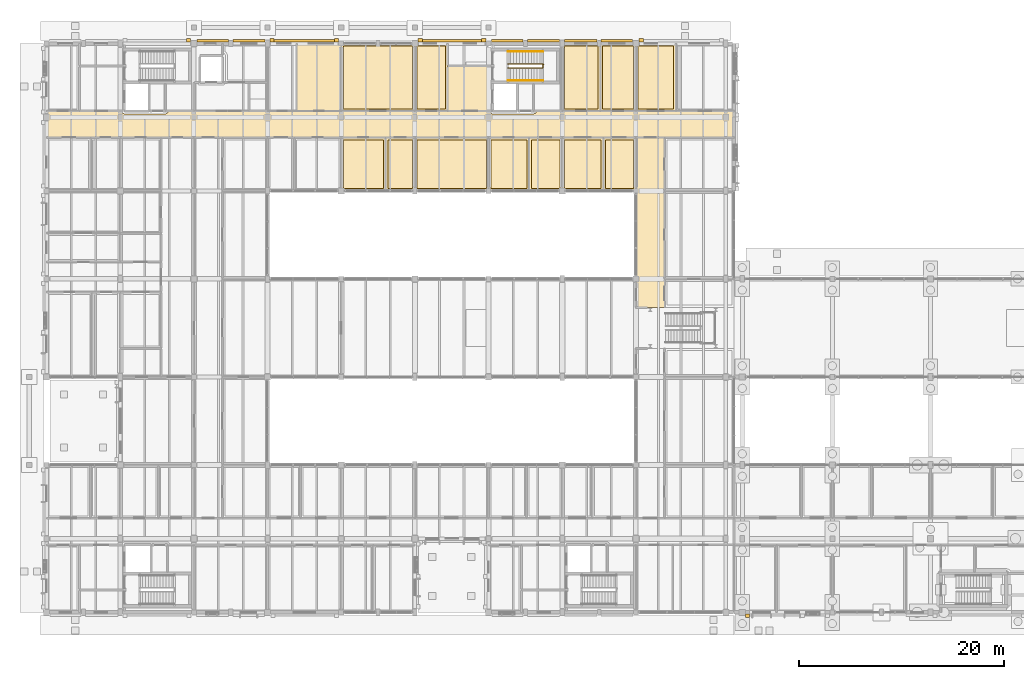
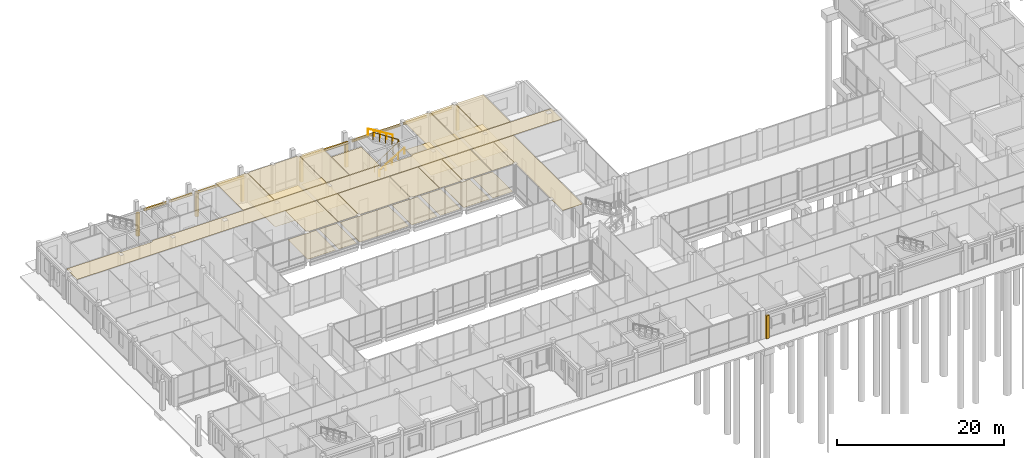
# One storey, part 96 of 104: 43 coverings, 3 railings.
"""IFC4 building model written with IfcOpenShell, lengths in metres."""

from ifc_helpers import new_model, si_unit, direction, frame, origin, origin_2d, place, context, subcontext, project, spatial, polyline, rectangle, circle, outline, extrude, material, layer, layer_set, type_object, element, save


model = new_model("IFC4")

# Units and contexts
model_context = context("Model", 3, precision=1e-05, world=origin(), true_north=direction((0.0, 1.0)))
body_context = subcontext(model_context, "Body", "Model", "MODEL_VIEW")
ifc_project = project(units=[si_unit("LENGTHUNIT", "METRE"), si_unit("AREAUNIT", "SQUARE_METRE"), si_unit("VOLUMEUNIT", "CUBIC_METRE"), si_unit("PLANEANGLEUNIT", "RADIAN"), si_unit("MASSUNIT", "GRAM", prefix="KILO")], contexts=[model_context])

# Site, building, storey
site_placement = place(None, origin())
site = spatial("IfcSite", under=ifc_project, at=site_placement, CompositionType="ELEMENT")
building_placement = place(site_placement, origin())
building = spatial("IfcBuilding", under=site, at=building_placement, Name="Hawrajan Terrace Health Centre", CompositionType="ELEMENT")
storey_placement = place(building_placement, origin())
storey = spatial("IfcBuildingStorey", under=building, at=storey_placement, Name="L00", CompositionType="ELEMENT", Elevation=0.0)

# Coverings
ifc_material_1 = material(Name="Precast concrete C40/50", Category="concrete")
ifc_layer_1 = layer(ifc_material_1, 0.219970703125)
ifc_layer_set_1 = layer_set([ifc_layer_1], Name="Precast concrete C40/50")
covering_type_1 = type_object("IfcCoveringType", Name="ArtDecoCorniceBand", PredefinedType="CLADDING", material=ifc_layer_set_1)
covering_1_placement = place(storey_placement, frame((20.85009765625, 60.06005859375, 3.3701171875), z_axis=(0.0, 0.0, 1.0), x_axis=(1.0, 0.0, 0.0)))
element("IfcCovering", 1, at=covering_1_placement, inside=storey, type_object=covering_type_1, Name="Art Deco limestone cornice band CRN-L00-0016", PredefinedType="CLADDING", context=body_context, shape_type="SweptSolid", body=[
    extrude(rectangle(XDim=3.06005859375, YDim=0.219970703125, at=origin_2d()), origin(), (0.0, 0.0, 1.0), 0.300048828125),
])
covering_2_placement = place(storey_placement, frame((24.387451171875, 60.06005859375, 3.3701171875), z_axis=(0.0, 0.0, 1.0), x_axis=(1.0, 0.0, 0.0)))
element("IfcCovering", 2, at=covering_2_placement, inside=storey, type_object=covering_type_1, Name="Art Deco limestone cornice band CRN-L00-0017", PredefinedType="CLADDING", context=body_context, shape_type="SweptSolid", body=[
    extrude(rectangle(XDim=3.135009765625, YDim=0.219970703125, at=origin_2d()), origin(), (0.0, 0.0, 1.0), 0.300048828125),
])
covering_3_placement = place(storey_placement, frame((29.78759765625, 60.070068359375, 3.3701171875), z_axis=(0.0, 0.0, 1.0), x_axis=(1.0, 0.0, 0.0)))
element("IfcCovering", 3, at=covering_3_placement, inside=storey, type_object=covering_type_1, Name="Art Deco limestone cornice band CRN-L00-0019", PredefinedType="CLADDING", context=body_context, shape_type="SweptSolid", body=[
    extrude(rectangle(XDim=6.68505859375, YDim=0.219970703125, at=origin_2d()), origin(), (0.0, 0.0, 1.0), 0.300048828125),
])
covering_4_placement = place(storey_placement, frame((44.22509765625, 60.070068359375, 3.3701171875), z_axis=(0.0, 0.0, 1.0), x_axis=(1.0, 0.0, 0.0)))
element("IfcCovering", 4, at=covering_4_placement, inside=storey, type_object=covering_type_1, Name="Art Deco limestone cornice band CRN-L00-0022", PredefinedType="CLADDING", context=body_context, shape_type="SweptSolid", body=[
    extrude(rectangle(XDim=6.610107421875, YDim=0.219970703125, at=origin_2d()), origin(), (0.0, 0.0, 1.0), 0.300048828125),
])
covering_5_placement = place(storey_placement, frame((49.625, 60.06005859375, 3.3701171875), z_axis=(0.0, 0.0, 1.0), x_axis=(1.0, 0.0, 0.0)))
element("IfcCovering", 5, at=covering_5_placement, inside=storey, type_object=covering_type_1, Name="Art Deco limestone cornice band CRN-L00-0026", PredefinedType="CLADDING", context=body_context, shape_type="SweptSolid", body=[
    extrude(rectangle(XDim=3.110107421875, YDim=0.219970703125, at=origin_2d()), origin(), (0.0, 0.0, 1.0), 0.300048828125),
])
covering_6_placement = place(storey_placement, frame((53.1875, 60.06005859375, 3.3701171875), z_axis=(0.0, 0.0, 1.0), x_axis=(1.0, 0.0, 0.0)))
element("IfcCovering", 6, at=covering_6_placement, inside=storey, type_object=covering_type_1, Name="Art Deco limestone cornice band CRN-L00-0027", PredefinedType="CLADDING", context=body_context, shape_type="SweptSolid", body=[
    extrude(rectangle(XDim=3.135009765625, YDim=0.219970703125, at=origin_2d()), origin(), (0.0, 0.0, 1.0), 0.300048828125),
])
covering_7_placement = place(storey_placement, frame((56.824951171875, 60.070068359375, 3.3701171875), z_axis=(0.0, 0.0, 1.0), x_axis=(1.0, 0.0, 0.0)))
element("IfcCovering", 7, at=covering_7_placement, inside=storey, type_object=covering_type_1, Name="Art Deco limestone cornice band CRN-L00-0030", PredefinedType="CLADDING", context=body_context, shape_type="SweptSolid", body=[
    extrude(rectangle(XDim=3.159912109375, YDim=0.219970703125, at=origin_2d()), origin(), (0.0, 0.0, 1.0), 0.300048828125),
])
covering_8_placement = place(storey_placement, frame((60.33740234375, 60.070068359375, 3.3701171875), z_axis=(0.0, 0.0, 1.0), x_axis=(1.0, 0.0, 0.0)))
element("IfcCovering", 8, at=covering_8_placement, inside=storey, type_object=covering_type_1, Name="Art Deco limestone cornice band CRN-L00-0031", PredefinedType="CLADDING", context=body_context, shape_type="SweptSolid", body=[
    extrude(rectangle(XDim=3.0849609375, YDim=0.219970703125, at=origin_2d()), origin(), (0.0, 0.0, 1.0), 0.300048828125),
])
ifc_layer_2 = layer(ifc_material_1, 0.340087890625)
ifc_layer_set_2 = layer_set([ifc_layer_2], Name="Precast concrete C40/50")
covering_type_2 = type_object("IfcCoveringType", Name="ArtDecoStonePilaster", PredefinedType="CLADDING", material=ifc_layer_set_2)
for number, where, z_axis, x_axis, name in (
    (9, (18.47998046875, 60.1298828125, 0.0), (0.0, 0.0, 1.0), (1.0, 0.0, 0.0), "Art Deco fluted limestone pilaster FPIL-L00-0021"),
    (10, (26.64501953125, 60.1298828125, 0.0), (0.0, 0.0, 1.0), (1.0, 0.0, 0.0), "Art Deco fluted limestone pilaster FPIL-L00-0024"),
    (11, (32.929931640625, 60.1298828125, 0.0), (0.0, 0.0, 1.0), (1.0, 0.0, 0.0), "Art Deco fluted limestone pilaster FPIL-L00-0025"),
    (12, (41.1201171875, 60.1298828125, 0.0), (0.0, 0.0, 1.0), (1.0, 0.0, 0.0), "Art Deco fluted limestone pilaster FPIL-L00-0031"),
    (13, (47.330078125, 60.1298828125, 0.0), (0.0, 0.0, 1.0), (1.0, 0.0, 0.0), "Art Deco fluted limestone pilaster FPIL-L00-0032"),
    (14, (62.719970703125, 60.1201171875, 0.0), (0.0, 0.0, 1.0), (1.0, 0.0, 0.0), "Art Deco fluted limestone pilaster FPIL-L00-0039"),
    (15, (73.1201171875, 3.8798828125, 0.0), (0.0, 0.0, 1.0), (1.0, 0.0, 0.0), "Art Deco fluted limestone pilaster FPIL-L00-0044"),
):
    element("IfcCovering", number, at=place(storey_placement, frame(where, z_axis=z_axis, x_axis=x_axis)), inside=storey, type_object=covering_type_2, Name=name, PredefinedType="CLADDING", context=body_context, shape_type="SweptSolid", body=[
        extrude(rectangle(XDim=0.39990234375, YDim=0.340087890625, at=origin_2d()), origin(), (0.0, 0.0, 1.0), 3.360107421875),
    ])
ifc_material_2 = material(Name="Hygienic mineral-fibre acoustic tile ceiling")
ifc_layer_3 = layer(ifc_material_2, 0.02490234375)
ifc_layer_set_3 = layer_set([ifc_layer_3], Name="Hygienic mineral-fibre acoustic tile ceiling")
covering_type_3 = type_object("IfcCoveringType", Name="ClinicalAcousticCeiling_25", PredefinedType="CEILING", material=ifc_layer_set_3)
covering_9_placement = place(storey_placement, frame((0.0, 0.0, 4.155029296875)))
element("IfcCovering", 16, at=covering_9_placement, inside=storey, type_object=covering_type_3, Name="Suspended ceiling L00-020", PredefinedType="CEILING", context=body_context, shape_type="SweptSolid", body=[
    extrude(outline(polyline([(43.820068359375, 53.219970703125), (43.820068359375, 57.580078125), (47.929931640625, 57.580078125), (47.929931640625, 53.219970703125), (43.820068359375, 53.219970703125)])), origin(), (0.0, 0.0, 1.0), 0.02490234375),
])
covering_10_placement = place(storey_placement, frame((0.0, 0.0, 4.155029296875)))
element("IfcCovering", 17, at=covering_10_placement, inside=storey, type_object=covering_type_3, Name="Suspended ceiling L00-028", PredefinedType="CEILING", context=body_context, shape_type="SweptSolid", body=[
    extrude(outline(polyline([(71.77490234375, 53.179931640625), (71.77490234375, 50.6201171875), (4.6201171875, 50.6201171875), (4.6201171875, 53.179931640625), (11.930908203125, 53.179931640625), (11.93115234375, 53.174560546875), (11.931396484375, 53.172607421875), (11.93505859375, 53.148193359375), (11.935302734375, 53.146484375), (11.94140625, 53.12255859375), (11.94189453125, 53.12060546875), (11.9501953125, 53.09765625), (11.950927734375, 53.095703125), (11.96142578125, 53.073486328125), (11.96240234375, 53.072021484375), (11.97509765625, 53.05078125), (11.97607421875, 53.04931640625), (11.99072265625, 53.029541015625), (11.991943359375, 53.028076171875), (12.00830078125, 53.009765625), (12.009765625, 53.00830078125), (12.028076171875, 52.991943359375), (12.029541015625, 52.99072265625), (12.04931640625, 52.97607421875), (12.05078125, 52.97509765625), (12.072021484375, 52.96240234375), (12.073486328125, 52.96142578125), (12.095703125, 52.950927734375), (12.09765625, 52.9501953125), (12.12060546875, 52.94189453125), (12.12255859375, 52.94140625), (12.146484375, 52.935302734375), (12.148193359375, 52.93505859375), (12.172607421875, 52.931396484375), (12.174560546875, 52.93115234375), (12.198974609375, 52.929931640625), (12.199951171875, 52.929931640625), (16.199951171875, 52.929931640625), (16.200927734375, 52.929931640625), (16.2255859375, 52.93115234375), (16.227294921875, 52.931396484375), (16.251708984375, 52.93505859375), (16.253662109375, 52.935302734375), (16.27734375, 52.94140625), (16.279296875, 52.94189453125), (16.302490234375, 52.9501953125), (16.30419921875, 52.950927734375), (16.326416015625, 52.96142578125), (16.328125, 52.96240234375), (16.34912109375, 52.97509765625), (16.350830078125, 52.97607421875), (16.37060546875, 52.99072265625), (16.3720703125, 52.991943359375), (16.39013671875, 53.00830078125), (16.3916015625, 53.009765625), (16.408203125, 53.028076171875), (16.4091796875, 53.029541015625), (16.423828125, 53.04931640625), (16.425048828125, 53.05078125), (16.4375, 53.072021484375), (16.438720703125, 53.073486328125), (16.448974609375, 53.095703125), (16.44970703125, 53.09765625), (16.4580078125, 53.12060546875), (16.45849609375, 53.12255859375), (16.464599609375, 53.146484375), (16.465087890625, 53.148193359375), (16.468505859375, 53.172607421875), (16.46875, 53.174560546875), (16.468994140625, 53.179931640625), (47.930908203125, 53.179931640625), (47.93115234375, 53.174560546875), (47.931396484375, 53.172607421875), (47.93505859375, 53.148193359375), (47.935302734375, 53.146484375), (47.94140625, 53.12255859375), (47.94189453125, 53.12060546875), (47.9501953125, 53.09765625), (47.950927734375, 53.095703125), (47.96142578125, 53.073486328125), (47.96240234375, 53.072021484375), (47.97509765625, 53.05078125), (47.97607421875, 53.04931640625), (47.99072265625, 53.029541015625), (47.991943359375, 53.028076171875), (48.00830078125, 53.009765625), (48.009765625, 53.00830078125), (48.028076171875, 52.991943359375), (48.029541015625, 52.99072265625), (48.04931640625, 52.97607421875), (48.05078125, 52.97509765625), (48.072021484375, 52.96240234375), (48.073486328125, 52.96142578125), (48.095703125, 52.950927734375), (48.09765625, 52.9501953125), (48.12060546875, 52.94189453125), (48.12255859375, 52.94140625), (48.146484375, 52.935302734375), (48.148193359375, 52.93505859375), (48.172607421875, 52.931396484375), (48.174560546875, 52.93115234375), (48.198974609375, 52.929931640625), (48.199951171875, 52.929931640625), (52.199951171875, 52.929931640625), (52.200927734375, 52.929931640625), (52.2255859375, 52.93115234375), (52.227294921875, 52.931396484375), (52.251708984375, 52.93505859375), (52.253662109375, 52.935302734375), (52.27734375, 52.94140625), (52.279296875, 52.94189453125), (52.302490234375, 52.9501953125), (52.30419921875, 52.950927734375), (52.326416015625, 52.96142578125), (52.328125, 52.96240234375), (52.34912109375, 52.97509765625), (52.350830078125, 52.97607421875), (52.37060546875, 52.99072265625), (52.3720703125, 52.991943359375), (52.39013671875, 53.00830078125), (52.3916015625, 53.009765625), (52.408203125, 53.028076171875), (52.4091796875, 53.029541015625), (52.423828125, 53.04931640625), (52.425048828125, 53.05078125), (52.4375, 53.072021484375), (52.438720703125, 53.073486328125), (52.448974609375, 53.095703125), (52.44970703125, 53.09765625), (52.4580078125, 53.12060546875), (52.45849609375, 53.12255859375), (52.464599609375, 53.146484375), (52.465087890625, 53.148193359375), (52.468505859375, 53.172607421875), (52.46875, 53.174560546875), (52.468994140625, 53.179931640625), (71.77490234375, 53.179931640625)])), origin(), (0.0, 0.0, 1.0), 0.02490234375),
])
covering_11_placement = place(storey_placement, frame((0.0, 0.0, 4.155029296875)))
element("IfcCovering", 18, at=covering_11_placement, inside=storey, type_object=covering_type_3, Name="Suspended ceiling L00-041", PredefinedType="CEILING", context=body_context, shape_type="SweptSolid", body=[
    extrude(outline(polyline([(62.219970703125, 50.580078125), (64.97998046875, 50.580078125), (64.97998046875, 34.02001953125), (62.219970703125, 34.02001953125), (62.219970703125, 50.580078125)])), origin(), (0.0, 0.0, 1.0), 0.02490234375),
])
covering_12_placement = place(storey_placement, frame((0.0, 0.0, 4.155029296875)))
element("IfcCovering", 19, at=covering_12_placement, inside=storey, type_object=covering_type_3, Name="Suspended ceiling L00-044", PredefinedType="CEILING", context=body_context, shape_type="SweptSolid", body=[
    extrude(outline(polyline([(29.070068359375, 59.780029296875), (33.3798828125, 59.780029296875), (33.3798828125, 53.219970703125), (29.070068359375, 53.219970703125), (29.070068359375, 59.780029296875)])), origin(), (0.0, 0.0, 1.0), 0.02490234375),
])
covering_13_placement = place(storey_placement, frame((0.0, 0.0, 4.155029296875)))
element("IfcCovering", 20, at=covering_13_placement, inside=storey, type_object=covering_type_3, Name="Suspended ceiling L00-077", PredefinedType="CEILING", context=body_context, shape_type="SweptSolid", body=[
    extrude(outline(polyline([(33.419921875, 50.580078125), (37.71435546875, 50.580078125), (37.71435546875, 45.419921875), (33.419921875, 45.419921875), (33.419921875, 50.580078125)])), origin(), (0.0, 0.0, 1.0), 0.02490234375),
])
covering_14_placement = place(storey_placement, frame((0.0, 0.0, 4.155029296875)))
element("IfcCovering", 21, at=covering_14_placement, inside=storey, type_object=covering_type_3, Name="Suspended ceiling L00-078", PredefinedType="CEILING", context=body_context, shape_type="SweptSolid", body=[
    extrude(outline(polyline([(37.75439453125, 50.580078125), (40.580078125, 50.580078125), (40.580078125, 45.419921875), (37.75439453125, 45.419921875), (37.75439453125, 50.580078125)])), origin(), (0.0, 0.0, 1.0), 0.02490234375),
])
covering_15_placement = place(storey_placement, frame((0.0, 0.0, 4.155029296875)))
element("IfcCovering", 22, at=covering_15_placement, inside=storey, type_object=covering_type_3, Name="Suspended ceiling L00-079", PredefinedType="CEILING", context=body_context, shape_type="SweptSolid", body=[
    extrude(outline(polyline([(33.419921875, 59.780029296875), (40.580078125, 59.780029296875), (40.580078125, 53.219970703125), (33.419921875, 53.219970703125), (33.419921875, 59.780029296875)])), origin(), (0.0, 0.0, 1.0), 0.02490234375),
])
covering_16_placement = place(storey_placement, frame((0.0, 0.0, 4.155029296875)))
element("IfcCovering", 23, at=covering_16_placement, inside=storey, type_object=covering_type_3, Name="Suspended ceiling L00-080", PredefinedType="CEILING", context=body_context, shape_type="SweptSolid", body=[
    extrude(outline(polyline([(40.6201171875, 50.580078125), (47.780029296875, 50.580078125), (47.780029296875, 45.419921875), (40.6201171875, 45.419921875), (40.6201171875, 50.580078125)])), origin(), (0.0, 0.0, 1.0), 0.02490234375),
])
covering_17_placement = place(storey_placement, frame((0.0, 0.0, 4.155029296875)))
element("IfcCovering", 24, at=covering_17_placement, inside=storey, type_object=covering_type_3, Name="Suspended ceiling L00-081", PredefinedType="CEILING", context=body_context, shape_type="SweptSolid", body=[
    extrude(outline(polyline([(40.6201171875, 59.780029296875), (43.780029296875, 59.780029296875), (43.780029296875, 53.219970703125), (40.6201171875, 53.219970703125), (40.6201171875, 59.780029296875)])), origin(), (0.0, 0.0, 1.0), 0.02490234375),
])
covering_18_placement = place(storey_placement, frame((0.0, 0.0, 4.155029296875)))
element("IfcCovering", 25, at=covering_18_placement, inside=storey, type_object=covering_type_3, Name="Suspended ceiling L00-082", PredefinedType="CEILING", context=body_context, shape_type="SweptSolid", body=[
    extrude(outline(polyline([(47.820068359375, 50.580078125), (51.747314453125, 50.580078125), (51.747314453125, 45.419921875), (47.820068359375, 45.419921875), (47.820068359375, 50.580078125)])), origin(), (0.0, 0.0, 1.0), 0.02490234375),
])
covering_19_placement = place(storey_placement, frame((0.0, 0.0, 4.155029296875)))
element("IfcCovering", 26, at=covering_19_placement, inside=storey, type_object=covering_type_3, Name="Suspended ceiling L00-083", PredefinedType="CEILING", context=body_context, shape_type="SweptSolid", body=[
    extrude(outline(polyline([(51.787109375, 50.580078125), (54.97998046875, 50.580078125), (54.97998046875, 45.419921875), (51.787109375, 45.419921875), (51.787109375, 50.580078125)])), origin(), (0.0, 0.0, 1.0), 0.02490234375),
])
covering_20_placement = place(storey_placement, frame((0.0, 0.0, 4.155029296875)))
element("IfcCovering", 27, at=covering_20_placement, inside=storey, type_object=covering_type_3, Name="Suspended ceiling L00-084", PredefinedType="CEILING", context=body_context, shape_type="SweptSolid", body=[
    extrude(outline(polyline([(55.02001953125, 50.580078125), (59.0048828125, 50.580078125), (59.0048828125, 45.419921875), (55.02001953125, 45.419921875), (55.02001953125, 50.580078125)])), origin(), (0.0, 0.0, 1.0), 0.02490234375),
])
covering_21_placement = place(storey_placement, frame((0.0, 0.0, 4.155029296875)))
element("IfcCovering", 28, at=covering_21_placement, inside=storey, type_object=covering_type_3, Name="Suspended ceiling L00-085", PredefinedType="CEILING", context=body_context, shape_type="SweptSolid", body=[
    extrude(outline(polyline([(59.044921875, 50.580078125), (62.179931640625, 50.580078125), (62.179931640625, 45.419921875), (59.044921875, 45.419921875), (59.044921875, 50.580078125)])), origin(), (0.0, 0.0, 1.0), 0.02490234375),
])
covering_22_placement = place(storey_placement, frame((0.0, 0.0, 4.155029296875)))
element("IfcCovering", 29, at=covering_22_placement, inside=storey, type_object=covering_type_3, Name="Suspended ceiling L00-086", PredefinedType="CEILING", context=body_context, shape_type="SweptSolid", body=[
    extrude(outline(polyline([(55.02001953125, 59.780029296875), (58.702392578125, 59.780029296875), (58.702392578125, 53.219970703125), (55.02001953125, 53.219970703125), (55.02001953125, 59.780029296875)])), origin(), (0.0, 0.0, 1.0), 0.02490234375),
])
covering_23_placement = place(storey_placement, frame((0.0, 0.0, 4.155029296875)))
element("IfcCovering", 30, at=covering_23_placement, inside=storey, type_object=covering_type_3, Name="Suspended ceiling L00-087", PredefinedType="CEILING", context=body_context, shape_type="SweptSolid", body=[
    extrude(outline(polyline([(58.742431640625, 59.780029296875), (62.179931640625, 59.780029296875), (62.179931640625, 53.219970703125), (58.742431640625, 53.219970703125), (58.742431640625, 59.780029296875)])), origin(), (0.0, 0.0, 1.0), 0.02490234375),
])
covering_24_placement = place(storey_placement, frame((0.0, 0.0, 4.155029296875)))
element("IfcCovering", 31, at=covering_24_placement, inside=storey, type_object=covering_type_3, Name="Suspended ceiling L00-089", PredefinedType="CEILING", context=body_context, shape_type="SweptSolid", body=[
    extrude(outline(polyline([(62.219970703125, 59.780029296875), (66.085205078125, 59.780029296875), (66.085205078125, 53.219970703125), (62.219970703125, 53.219970703125), (62.219970703125, 59.780029296875)])), origin(), (0.0, 0.0, 1.0), 0.02490234375),
])
ifc_material_3 = material(Name="Seamless medical-grade cushioned vinyl flooring")
ifc_layer_4 = layer(ifc_material_3, 0.011962890625)
ifc_layer_set_4 = layer_set([ifc_layer_4], Name="Seamless medical-grade cushioned vinyl flooring")
covering_type_4 = type_object("IfcCoveringType", Name="ClinicalVinylFlooring_12", PredefinedType="FLOORING", material=ifc_layer_set_4)
covering_25_placement = place(storey_placement, origin())
element("IfcCovering", 32, at=covering_25_placement, inside=storey, type_object=covering_type_4, Name="Floor finish L00-077", PredefinedType="FLOORING", context=body_context, shape_type="SweptSolid", body=[
    extrude(outline(polyline([(33.6201171875, 50.3798828125), (37.514404296875, 50.3798828125), (37.514404296875, 45.6201171875), (33.6201171875, 45.6201171875), (33.6201171875, 50.3798828125)])), origin(), (0.0, 0.0, 1.0), 0.011962890625),
])
covering_26_placement = place(storey_placement, origin())
element("IfcCovering", 33, at=covering_26_placement, inside=storey, type_object=covering_type_4, Name="Floor finish L00-078", PredefinedType="FLOORING", context=body_context, shape_type="SweptSolid", body=[
    extrude(outline(polyline([(37.954345703125, 50.3798828125), (40.3798828125, 50.3798828125), (40.3798828125, 45.6201171875), (37.954345703125, 45.6201171875), (37.954345703125, 50.3798828125)])), origin(), (0.0, 0.0, 1.0), 0.011962890625),
])
covering_27_placement = place(storey_placement, origin())
element("IfcCovering", 34, at=covering_27_placement, inside=storey, type_object=covering_type_4, Name="Floor finish L00-079", PredefinedType="FLOORING", context=body_context, shape_type="SweptSolid", body=[
    extrude(outline(polyline([(33.6201171875, 59.580078125), (40.3798828125, 59.580078125), (40.3798828125, 53.419921875), (33.6201171875, 53.419921875), (33.6201171875, 59.580078125)])), origin(), (0.0, 0.0, 1.0), 0.011962890625),
])
covering_28_placement = place(storey_placement, origin())
element("IfcCovering", 35, at=covering_28_placement, inside=storey, type_object=covering_type_4, Name="Floor finish L00-080", PredefinedType="FLOORING", context=body_context, shape_type="SweptSolid", body=[
    extrude(outline(polyline([(40.820068359375, 50.3798828125), (47.580078125, 50.3798828125), (47.580078125, 45.6201171875), (40.820068359375, 45.6201171875), (40.820068359375, 50.3798828125)])), origin(), (0.0, 0.0, 1.0), 0.011962890625),
])
covering_29_placement = place(storey_placement, origin())
element("IfcCovering", 36, at=covering_29_placement, inside=storey, type_object=covering_type_4, Name="Floor finish L00-081", PredefinedType="FLOORING", context=body_context, shape_type="SweptSolid", body=[
    extrude(outline(polyline([(40.820068359375, 59.580078125), (43.580078125, 59.580078125), (43.580078125, 53.419921875), (40.820068359375, 53.419921875), (40.820068359375, 59.580078125)])), origin(), (0.0, 0.0, 1.0), 0.011962890625),
])
covering_30_placement = place(storey_placement, origin())
element("IfcCovering", 37, at=covering_30_placement, inside=storey, type_object=covering_type_4, Name="Floor finish L00-082", PredefinedType="FLOORING", context=body_context, shape_type="SweptSolid", body=[
    extrude(outline(polyline([(48.02001953125, 50.3798828125), (51.547119140625, 50.3798828125), (51.547119140625, 45.6201171875), (48.02001953125, 45.6201171875), (48.02001953125, 50.3798828125)])), origin(), (0.0, 0.0, 1.0), 0.011962890625),
])
covering_31_placement = place(storey_placement, origin())
element("IfcCovering", 38, at=covering_31_placement, inside=storey, type_object=covering_type_4, Name="Floor finish L00-083", PredefinedType="FLOORING", context=body_context, shape_type="SweptSolid", body=[
    extrude(outline(polyline([(51.9873046875, 50.3798828125), (54.780029296875, 50.3798828125), (54.780029296875, 45.6201171875), (51.9873046875, 45.6201171875), (51.9873046875, 50.3798828125)])), origin(), (0.0, 0.0, 1.0), 0.011962890625),
])
covering_32_placement = place(storey_placement, origin())
element("IfcCovering", 39, at=covering_32_placement, inside=storey, type_object=covering_type_4, Name="Floor finish L00-084", PredefinedType="FLOORING", context=body_context, shape_type="SweptSolid", body=[
    extrude(outline(polyline([(55.219970703125, 50.3798828125), (58.8046875, 50.3798828125), (58.8046875, 45.6201171875), (55.219970703125, 45.6201171875), (55.219970703125, 50.3798828125)])), origin(), (0.0, 0.0, 1.0), 0.011962890625),
])
covering_33_placement = place(storey_placement, origin())
element("IfcCovering", 40, at=covering_33_placement, inside=storey, type_object=covering_type_4, Name="Floor finish L00-085", PredefinedType="FLOORING", context=body_context, shape_type="SweptSolid", body=[
    extrude(outline(polyline([(59.244873046875, 50.3798828125), (61.97998046875, 50.3798828125), (61.97998046875, 45.6201171875), (59.244873046875, 45.6201171875), (59.244873046875, 50.3798828125)])), origin(), (0.0, 0.0, 1.0), 0.011962890625),
])
covering_34_placement = place(storey_placement, origin())
element("IfcCovering", 41, at=covering_34_placement, inside=storey, type_object=covering_type_4, Name="Floor finish L00-086", PredefinedType="FLOORING", context=body_context, shape_type="SweptSolid", body=[
    extrude(outline(polyline([(55.219970703125, 59.580078125), (58.50244140625, 59.580078125), (58.50244140625, 53.419921875), (55.219970703125, 53.419921875), (55.219970703125, 59.580078125)])), origin(), (0.0, 0.0, 1.0), 0.011962890625),
])
covering_35_placement = place(storey_placement, origin())
element("IfcCovering", 42, at=covering_35_placement, inside=storey, type_object=covering_type_4, Name="Floor finish L00-087", PredefinedType="FLOORING", context=body_context, shape_type="SweptSolid", body=[
    extrude(outline(polyline([(58.9423828125, 59.580078125), (61.97998046875, 59.580078125), (61.97998046875, 53.419921875), (58.9423828125, 53.419921875), (58.9423828125, 59.580078125)])), origin(), (0.0, 0.0, 1.0), 0.011962890625),
])
covering_36_placement = place(storey_placement, origin())
element("IfcCovering", 43, at=covering_36_placement, inside=storey, type_object=covering_type_4, Name="Floor finish L00-089", PredefinedType="FLOORING", context=body_context, shape_type="SweptSolid", body=[
    extrude(outline(polyline([(62.419921875, 59.580078125), (65.88525390625, 59.580078125), (65.88525390625, 53.419921875), (62.419921875, 53.419921875), (62.419921875, 59.580078125)])), origin(), (0.0, 0.0, 1.0), 0.011962890625),
])

# Railings
ifc_material_4 = material(Name="Brushed stainless steel tubular handrail", Category="steel")
railing_type_1 = type_object("IfcRailingType", Name="StairHandrail_900", PredefinedType="HANDRAIL", material=ifc_material_4)
railing_1_placement = place(storey_placement, frame((49.675048828125, 56.199951171875, 0.173095703125)))
element("IfcRailing", 44, at=railing_1_placement, inside=storey, type_object=railing_type_1, Name="Stair handrail ST-2-L00-H1", PredefinedType="HANDRAIL", context=body_context, shape_type="SweptSolid", body=[
    extrude(circle(Radius=0.02392578125, at=origin_2d()), frame((0.024658203125, 0.0, 0.890625), z_axis=(0.856732359591, 0.0, 0.515761247119), x_axis=(0.0, 1.0, 0.0)), (0.0, 0.0, 1.0), 3.96923828125),
    extrude(circle(Radius=0.02099609375, at=origin_2d()), origin(), (0.0, 0.0, 1.0), 0.846923828125),
    extrude(circle(Radius=0.02099609375, at=origin_2d()), frame((0.862548828125, 0.0, 0.519287109375)), (0.0, 0.0, 1.0), 0.846923828125),
    extrude(circle(Radius=0.02099609375, at=origin_2d()), frame((1.72509765625, 0.0, 1.03857421875)), (0.0, 0.0, 1.0), 0.846923828125),
    extrude(circle(Radius=0.02099609375, at=origin_2d()), frame((2.58740234375, 0.0, 1.5576171875)), (0.0, 0.0, 1.0), 0.846923828125),
    extrude(circle(Radius=0.02099609375, at=origin_2d()), frame((3.449951171875, 0.0, 2.076904296875)), (0.0, 0.0, 1.0), 0.846923828125),
])
railing_2_placement = place(storey_placement, frame((53.125, 59.0, 2.423095703125)))
element("IfcRailing", 45, at=railing_2_placement, inside=storey, type_object=railing_type_1, Name="Stair handrail ST-2-L00-H2", PredefinedType="HANDRAIL", context=body_context, shape_type="SweptSolid", body=[
    extrude(circle(Radius=0.02392578125, at=origin_2d()), frame((-0.024658203125, 0.0, 0.890625), z_axis=(-0.856732359591, 0.0, 0.515761247119), x_axis=(0.0, -1.0, 0.0)), (0.0, 0.0, 1.0), 3.96923828125),
    extrude(circle(Radius=0.02099609375, at=origin_2d()), origin(), (0.0, 0.0, 1.0), 0.846923828125),
    extrude(circle(Radius=0.02099609375, at=origin_2d()), frame((-0.862548828125, 0.0, 0.519287109375)), (0.0, 0.0, 1.0), 0.846923828125),
    extrude(circle(Radius=0.02099609375, at=origin_2d()), frame((-1.72509765625, 0.0, 1.03857421875)), (0.0, 0.0, 1.0), 0.846923828125),
    extrude(circle(Radius=0.02099609375, at=origin_2d()), frame((-2.58740234375, 0.0, 1.5576171875)), (0.0, 0.0, 1.0), 0.846923828125),
    extrude(circle(Radius=0.02099609375, at=origin_2d()), frame((-3.449951171875, 0.0, 2.076904296875)), (0.0, 0.0, 1.0), 0.846923828125),
])
ifc_material_5 = material(Name="Painted steel stair well guard", Category="steel")
railing_type_2 = type_object("IfcRailingType", Name="StairWellGuard_1120", PredefinedType="GUARDRAIL", material=ifc_material_5)
railing_3_placement = place(storey_placement, frame((49.699951171875, 57.419921875, 0.0)))
element("IfcRailing", 46, at=railing_3_placement, inside=storey, type_object=railing_type_2, Name="Stair well guard ST-2-L00-G1", PredefinedType="GUARDRAIL", context=body_context, shape_type="SweptSolid", body=[
    extrude(circle(Radius=0.02392578125, at=origin_2d()), frame((0.024169921875, 0.0, 1.112060546875), z_axis=(0.833943147616, 0.0, 0.551850366082), x_axis=(0.0, 1.0, 0.0)), (0.0, 0.0, 1.0), 4.01953125),
    extrude(circle(Radius=0.02392578125, at=origin_2d()), frame((3.404052734375, 0.028564453125, 3.34619140625), z_axis=(0.137000993654, 0.99057091, 0.0), x_axis=(-0.99057091, 0.137000993654, 0.0)), (0.0, 0.0, 1.0), 0.305908203125),
    extrude(circle(Radius=0.02392578125, at=origin_2d()), frame((3.42578125, 0.360107421875, 3.36181640625), z_axis=(-0.837607059222, 0.0, 0.546273204854), x_axis=(0.0, -1.0, 0.0)), (0.0, 0.0, 1.0), 4.06103515625),
    extrude(circle(Radius=0.02099609375, at=origin_2d()), origin(), (0.0, 0.0, 1.0), 1.067138671875),
    extrude(circle(Radius=0.02099609375, at=origin_2d()), frame((0.85009765625, 0.0, 0.5625)), (0.0, 0.0, 1.0), 1.067138671875),
    extrude(circle(Radius=0.02099609375, at=origin_2d()), frame((1.7001953125, 0.0, 1.125)), (0.0, 0.0, 1.0), 1.067138671875),
    extrude(circle(Radius=0.02099609375, at=origin_2d()), frame((2.550048828125, 0.0, 1.6875)), (0.0, 0.0, 1.0), 1.067138671875),
    extrude(circle(Radius=0.02099609375, at=origin_2d()), frame((3.400146484375, 0.0, 2.25)), (0.0, 0.0, 1.0), 1.067138671875),
    extrude(circle(Radius=0.02099609375, at=origin_2d()), frame((3.449951171875, 0.360107421875, 2.25)), (0.0, 0.0, 1.0), 1.067138671875),
    extrude(circle(Radius=0.02099609375, at=origin_2d()), frame((2.58740234375, 0.360107421875, 2.8125)), (0.0, 0.0, 1.0), 1.067138671875),
    extrude(circle(Radius=0.02099609375, at=origin_2d()), frame((1.72509765625, 0.360107421875, 3.375)), (0.0, 0.0, 1.0), 1.067138671875),
    extrude(circle(Radius=0.02099609375, at=origin_2d()), frame((0.862548828125, 0.360107421875, 3.9375)), (0.0, 0.0, 1.0), 1.067138671875),
    extrude(circle(Radius=0.02099609375, at=origin_2d()), frame((0.0, 0.360107421875, 4.5)), (0.0, 0.0, 1.0), 1.067138671875),
])

save(model, "model.ifc")
